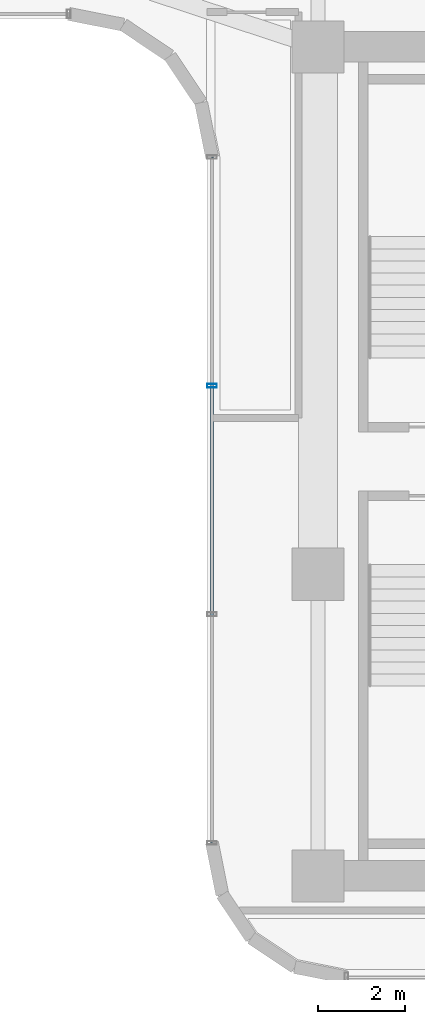
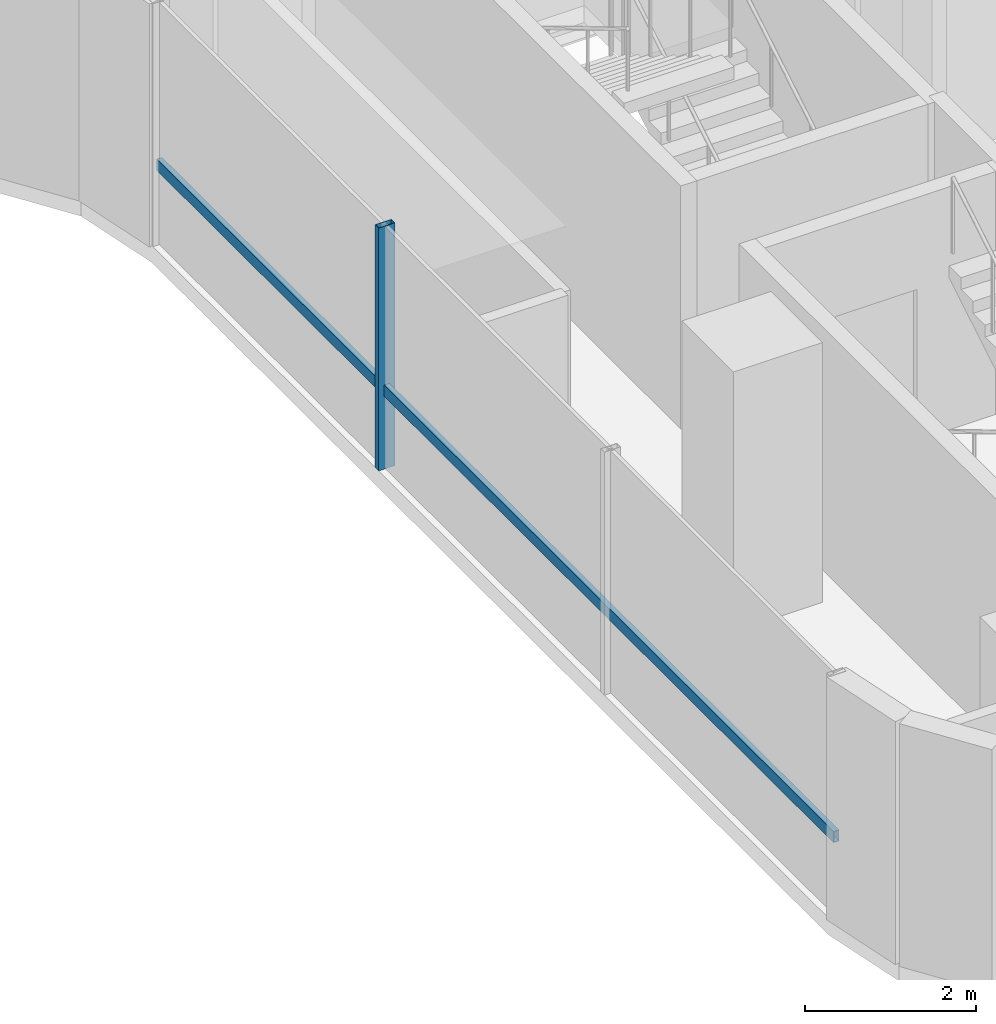
# One storey, part 15 of 37: 2 members, 1 element without a shape of its own.
"""IFC4 building model written with IfcOpenShell, lengths in metres."""

from ifc_helpers import new_model, si_unit, direction, frame, origin, origin_2d, place, context, subcontext, project, spatial, hollow_rectangle, extrude, source, transform, mapped, material, material_profile, profile_set, type_object, element, aggregate, save


model = new_model("IFC4")

# Units and contexts
model_context = context("Model", 3, precision=1e-05, world=origin(), true_north=direction((0.0, 1.0)))
body_context = subcontext(model_context, "Body", "Model", "MODEL_VIEW")
ifc_project = project(units=[si_unit("LENGTHUNIT", "METRE"), si_unit("AREAUNIT", "SQUARE_METRE"), si_unit("VOLUMEUNIT", "CUBIC_METRE"), si_unit("PLANEANGLEUNIT", "RADIAN"), si_unit("MASSUNIT", "GRAM", prefix="KILO")], contexts=[model_context])

# Site, building, storey
site_placement = place(None, origin())
site = spatial("IfcSite", under=ifc_project, at=site_placement, CompositionType="ELEMENT")
building_placement = place(site_placement, origin())
building = spatial("IfcBuilding", under=site, at=building_placement, Name="Valdorenza Pilgrim Sanctuary Tower", CompositionType="ELEMENT")
storey_placement = place(building_placement, frame((0.0, 0.0, 127.89990234375)))
storey = spatial("IfcBuildingStorey", under=building, at=storey_placement, Name="L32", CompositionType="ELEMENT", Elevation=127.89990234375)

# Curtain wall, members
ifc_material_1 = material(Name="Curtain-wall IGU glazing", Category="glass")
curtain_wall_type = type_object("IfcCurtainWallType", Name="CW-SYS-03", PredefinedType="NOTDEFINED", material=ifc_material_1)
curtain_wall_placement = place(storey_placement, origin())
curtain_wall = element("IfcCurtainWall", 1, at=curtain_wall_placement, inside=storey, type_object=curtain_wall_type, Name="L32 Curtain Wall CW-L32-1-31", PredefinedType="NOTDEFINED")
ifc_material_2 = material(Name="Anodised aluminium AW-6060", Category="aluminium")
ifc_material_profile_1 = material_profile(ifc_material_2, hollow_rectangle(XDim=0.0849609375, YDim=0.219970703125, WallThickness=0.0048828125, at=origin_2d()), Name="ALU-M 220x85x5")
ifc_profile_set_1 = profile_set([ifc_material_profile_1], Name="Anodised aluminium AW-6060")
member_type_1 = type_object("IfcMemberType", Name="CW-MUL-03", PredefinedType="MULLION", material=ifc_profile_set_1)
shared_shape_1 = source(origin(), body_context, "Body", "SweptSolid", [
    extrude(hollow_rectangle(XDim=0.0849609375, YDim=0.219970703125, WallThickness=0.0048828125, at=origin_2d()), origin(), (0.0, 0.0, 1.0), 3.460205078125),
])
member_1_placement = place(storey_placement, frame((13.409912109375, 1.744140625, 0.0), z_axis=(0.0, 0.0, 1.0), x_axis=(0.0, 1.0, 0.0)))
member_1 = element("IfcMember", 2, at=member_1_placement, type_object=member_type_1, Name="CW-L32-1-31 Mullion 3", PredefinedType="MULLION", context=body_context, shape_type="MappedRepresentation", body=[
    mapped(shared_shape_1, transform((0.0, 0.0, 0.0), x_axis=(1.0, 0.0, 0.0), y_axis=(0.0, 1.0, 0.0), z_axis=(0.0, 0.0, 1.0), scale=1.0)),
])
ifc_material_profile_2 = material_profile(ifc_material_2, hollow_rectangle(XDim=0.074951171875, YDim=0.159912109375, WallThickness=0.00390625, at=origin_2d()), Name="ALU-T 160x75x4")
ifc_profile_set_2 = profile_set([ifc_material_profile_2], Name="Anodised aluminium AW-6060")
member_type_2 = type_object("IfcMemberType", Name="CW-TRN-03", PredefinedType="USERDEFINED", material=ifc_profile_set_2)
shared_shape_2 = source(origin(), body_context, "Body", "SweptSolid", [
    extrude(hollow_rectangle(XDim=0.074951171875, YDim=0.159912109375, WallThickness=0.00390625, at=origin_2d()), origin(), (0.0, 0.0, 1.0), 15.800048828125),
])
member_2_placement = place(storey_placement, frame((13.409912109375, -8.789306640625, 1.1201171875), z_axis=(0.0, 1.0, 0.0), x_axis=(-1.0, 0.0, 0.0)))
member_2 = element("IfcMember", 3, at=member_2_placement, type_object=member_type_2, Name="CW-L32-1-31 Transom 1", ObjectType="TRANSOM", PredefinedType="USERDEFINED", context=body_context, shape_type="MappedRepresentation", body=[
    mapped(shared_shape_2, transform((0.0, 0.0, 0.0), x_axis=(1.0, 0.0, 0.0), y_axis=(0.0, 1.0, 0.0), z_axis=(0.0, 0.0, 1.0), scale=1.0)),
])
aggregate(curtain_wall, [member_1, member_2])

save(model, "model.ifc")
